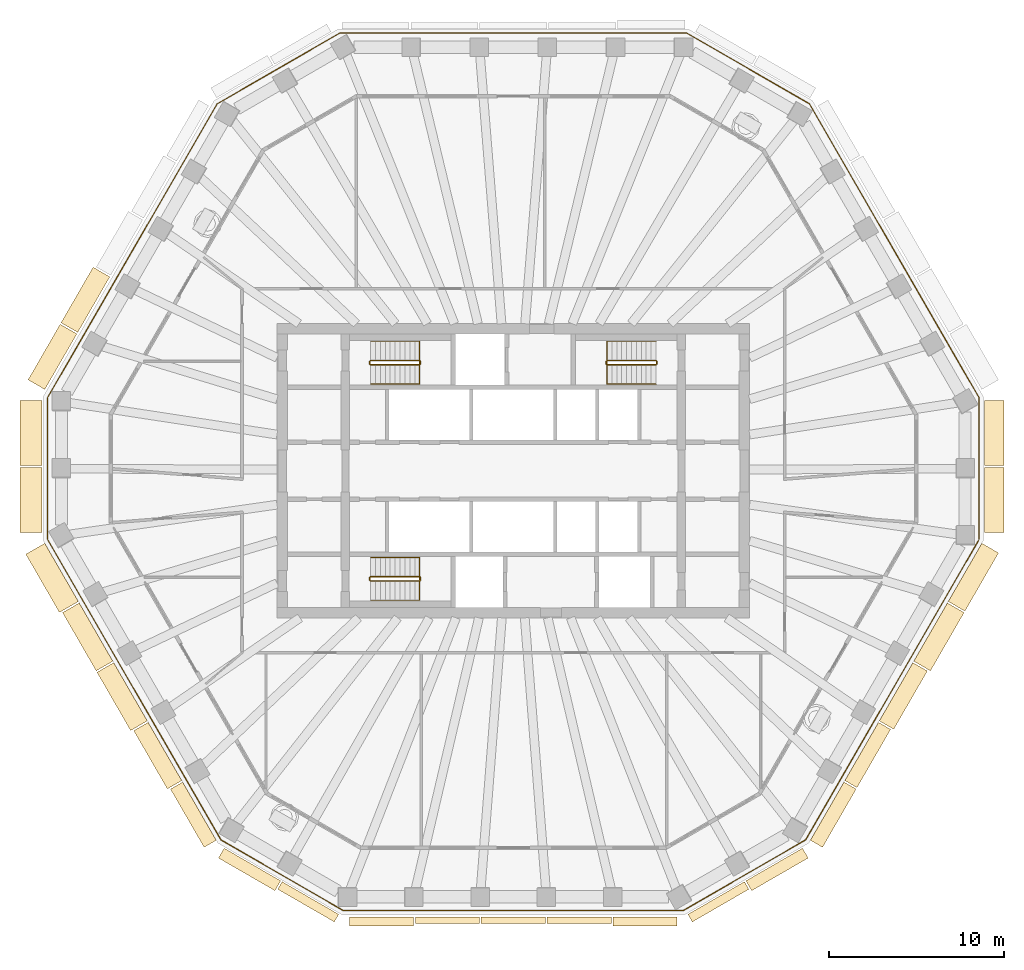
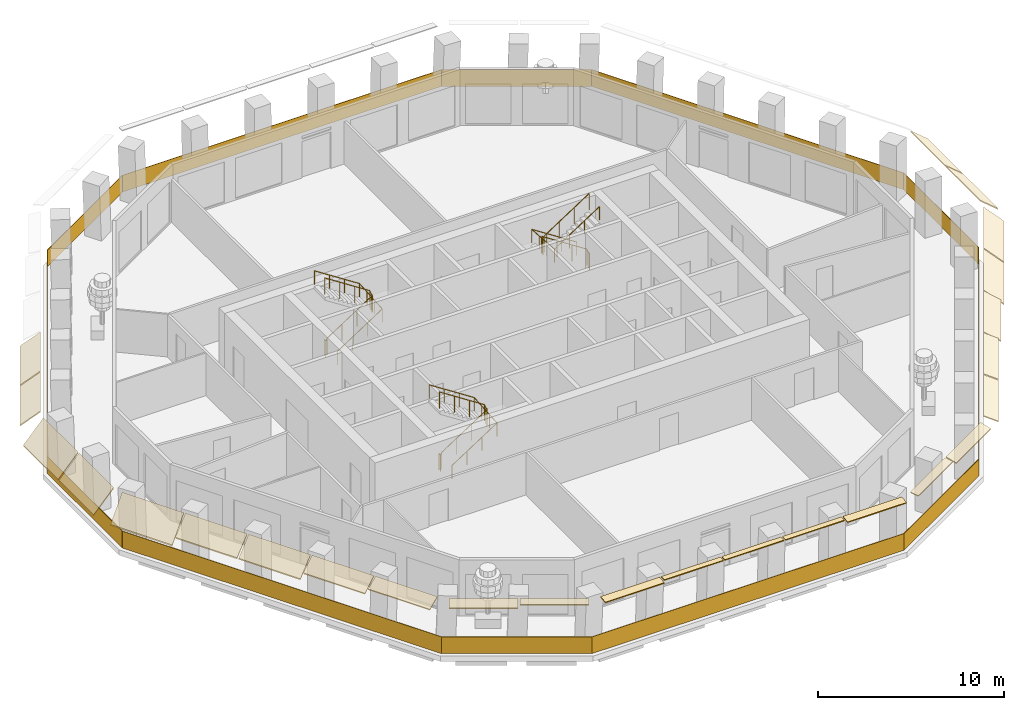
# One storey, part 9 of 12: 25 coverings, 7 railings.
"""IFC4 building model written with IfcOpenShell, lengths in metres."""

from ifc_helpers import new_model, si_unit, direction, frame, origin, origin_2d, place, context, subcontext, project, spatial, polyline, rectangle, circle, outline, extrude, material, layer, layer_set, type_object, element, save


model = new_model("IFC4")

# Units and contexts
model_context = context("Model", 3, precision=1e-05, world=origin(), true_north=direction((0.0, 1.0)))
body_context = subcontext(model_context, "Body", "Model", "MODEL_VIEW")
ifc_project = project(units=[si_unit("LENGTHUNIT", "METRE"), si_unit("AREAUNIT", "SQUARE_METRE"), si_unit("VOLUMEUNIT", "CUBIC_METRE"), si_unit("PLANEANGLEUNIT", "RADIAN"), si_unit("MASSUNIT", "GRAM", prefix="KILO")], contexts=[model_context])

# Site, building, storey
site_placement = place(None, origin())
site = spatial("IfcSite", under=ifc_project, at=site_placement, CompositionType="ELEMENT")
building_placement = place(site_placement, origin())
building = spatial("IfcBuilding", under=site, at=building_placement, Name="Frailejon Research Tower", CompositionType="ELEMENT")
storey_placement = place(building_placement, frame((0.0, 0.0, 215.39990234375)))
storey = spatial("IfcBuildingStorey", under=building, at=storey_placement, Name="L46", CompositionType="ELEMENT", Elevation=215.39990234375)

# Coverings
ifc_material_1 = material(Name="Precast concrete C50/60", Category="concrete")
ifc_layer_1 = layer(ifc_material_1, 0.06005859375)
ifc_layer_set_1 = layer_set([ifc_layer_1], Name="Brim blade depth 1100")
covering_type_1 = type_object("IfcCoveringType", Name="Brim blade depth 1100", PredefinedType="CLADDING", material=ifc_layer_set_1)
for number, where, z_axis, x_axis, name in (
    (1, (26.929443359375, 0.201416015625, 3.85009765625), (0.0, -1.0, 0.0), (1.0, 0.0, 0.0), "Brim blade L46"),
    (2, (26.929443359375, 4.028076171875, 3.85009765625), (0.0, -1.0, 0.0), (1.0, 0.0, 0.0), "Brim blade L46"),
):
    element("IfcCovering", number, at=place(storey_placement, frame(where, z_axis=z_axis, x_axis=x_axis)), inside=storey, type_object=covering_type_1, Name=name, PredefinedType="CLADDING", context=body_context, shape_type="SweptSolid", body=[
        extrude(outline(polyline([(0.0, -0.078369140625), (1.10009765625, -1.001220703125), (1.10009765625, -0.923095703125), (0.0, 0.0), (0.0, -0.078369140625)])), origin(), (0.0, 0.0, 1.0), 3.726806640625),
    ])
covering_1_placement = place(storey_placement, frame((-24.882080078125, 7.905517578125, 3.85009765625), z_axis=(0.500003084099, 0.866023623172, 0.0), x_axis=(-0.866023623172, 0.500003084099, 0.0)))
element("IfcCovering", 3, at=covering_1_placement, inside=storey, type_object=covering_type_1, Name="Brim blade L46", PredefinedType="CLADDING", context=body_context, shape_type="SweptSolid", body=[
    extrude(outline(polyline([(0.0, -0.078369140625), (1.10009765625, -1.001220703125), (1.10009765625, -0.923095703125), (0.0, 0.0), (0.0, -0.078369140625)])), origin(), (0.0, 0.0, 1.0), 3.6630859375),
])
covering_2_placement = place(storey_placement, frame((-26.763916015625, 4.646484375, 3.85009765625), z_axis=(0.499991576892, 0.866030266813, 0.0), x_axis=(-0.866030266813, 0.499991576892, 0.0)))
element("IfcCovering", 4, at=covering_2_placement, inside=storey, type_object=covering_type_1, Name="Brim blade L46", PredefinedType="CLADDING", context=body_context, shape_type="SweptSolid", body=[
    extrude(outline(polyline([(0.0, -0.078369140625), (1.10009765625, -1.001220703125), (1.10009765625, -0.923095703125), (0.0, 0.0), (0.0, -0.078369140625)])), origin(), (0.0, 0.0, 1.0), 3.663330078125),
])
for number, where, z_axis, x_axis, name in (
    (5, (-22.87646484375, -10.876708984375, 3.85009765625), (-0.499998726892, 0.866026138813, 0.0), (-0.866026138813, -0.499998726892, 0.0), "Brim blade L46"),
    (6, (-20.90771484375, -14.28662109375, 3.85009765625), (-0.500009724991, 0.866019788985, 0.0), (-0.866019788985, -0.500009724991, 0.0), "Brim blade L46"),
    (7, (24.795166015625, -7.553466796875, 3.85009765625), (-0.499998726892, -0.866026138813, 0.0), (0.866026138813, -0.499998726892, 0.0), "Brim blade L46"),
    (8, (26.763916015625, -4.1435546875, 3.85009765625), (-0.499979678914, -0.866037135851, 0.0), (0.866037135851, -0.499979678914, 0.0), "Brim blade L46"),
):
    element("IfcCovering", number, at=place(storey_placement, frame(where, z_axis=z_axis, x_axis=x_axis)), inside=storey, type_object=covering_type_1, Name=name, PredefinedType="CLADDING", context=body_context, shape_type="SweptSolid", body=[
        extrude(outline(polyline([(0.0, -0.078369140625), (1.10009765625, -1.001220703125), (1.10009765625, -0.923095703125), (0.0, 0.0), (0.0, -0.078369140625)])), origin(), (0.0, 0.0, 1.0), 3.83740234375),
    ])
ifc_material_2 = material(Name="Precast concrete C50/60", Category="concrete")
ifc_layer_2 = layer(ifc_material_2, 0.06005859375)
ifc_layer_set_2 = layer_set([ifc_layer_2], Name="Brim blade depth 1250")
covering_type_2 = type_object("IfcCoveringType", Name="Brim blade depth 1250", PredefinedType="CLADDING", material=ifc_layer_set_2)
for number, where, z_axis, x_axis, name in (
    (9, (-26.929443359375, 0.301513671875, 3.85009765625), (0.0, 1.0, 0.0), (-1.0, 0.0, 0.0), "Brim blade L46"),
    (10, (-26.929443359375, -3.525390625, 3.85009765625), (0.0, 1.0, 0.0), (-1.0, 0.0, 0.0), "Brim blade L46"),
):
    element("IfcCovering", number, at=place(storey_placement, frame(where, z_axis=z_axis, x_axis=x_axis)), inside=storey, type_object=covering_type_2, Name=name, PredefinedType="CLADDING", context=body_context, shape_type="SweptSolid", body=[
        extrude(outline(polyline([(0.0, -0.0888671875), (1.25, -1.452880859375), (1.25, -1.364013671875), (0.0, 0.0), (0.0, -0.0888671875)])), origin(), (0.0, 0.0, 1.0), 3.726806640625),
    ])
covering_3_placement = place(storey_placement, frame((-24.84521484375, -7.466796875, 3.85009765625), z_axis=(-0.499979678914, 0.866037135851, 0.0), x_axis=(-0.866037135851, -0.499979678914, 0.0)))
element("IfcCovering", 11, at=covering_3_placement, inside=storey, type_object=covering_type_2, Name="Brim blade L46", PredefinedType="CLADDING", context=body_context, shape_type="SweptSolid", body=[
    extrude(outline(polyline([(0.0, -0.0888671875), (1.25, -1.452880859375), (1.25, -1.364013671875), (0.0, 0.0), (0.0, -0.0888671875)])), origin(), (0.0, 0.0, 1.0), 3.83740234375),
])
ifc_material_3 = material(Name="Precast concrete C50/60", Category="concrete")
ifc_layer_3 = layer(ifc_material_3, 0.06005859375)
ifc_layer_set_3 = layer_set([ifc_layer_3], Name="Brim blade depth 350")
covering_type_3 = type_object("IfcCoveringType", Name="Brim blade depth 350", PredefinedType="CLADDING", material=ifc_layer_set_3)
for number, where, z_axis, x_axis, name in (
    (12, (-1.931640625, -25.50146484375, 3.85009765625), (-1.0, 0.0, 0.0), (0.0, -1.0, 0.0), "Brim blade L46"),
    (13, (1.83154296875, -25.50146484375, 3.85009765625), (-1.0, 0.0, 0.0), (0.0, -1.0, 0.0), "Brim blade L46"),
    (14, (5.5947265625, -25.50146484375, 3.85009765625), (-1.0, 0.0, 0.0), (0.0, -1.0, 0.0), "Brim blade L46"),
):
    element("IfcCovering", number, at=place(storey_placement, frame(where, z_axis=z_axis, x_axis=x_axis)), inside=storey, type_object=covering_type_3, Name=name, PredefinedType="CLADDING", context=body_context, shape_type="SweptSolid", body=[
        extrude(outline(polyline([(0.0, -0.06005859375), (0.35009765625, -0.06005859375), (0.35009765625, 0.0), (0.0, 0.0), (0.0, -0.06005859375)])), origin(), (0.0, 0.0, 1.0), 3.6630859375),
    ])
ifc_material_4 = material(Name="Precast concrete C50/60", Category="concrete")
ifc_layer_4 = layer(ifc_material_4, 0.06005859375)
ifc_layer_set_4 = layer_set([ifc_layer_4], Name="Brim blade depth 500")
covering_type_4 = type_object("IfcCoveringType", Name="Brim blade depth 500", PredefinedType="CLADDING", material=ifc_layer_set_4)
covering_4_placement = place(storey_placement, frame((-9.976318359375, -25.335693359375, 3.85009765625), z_axis=(-0.866018477835, 0.500011995905, 0.0), x_axis=(-0.500011995905, -0.866018477835, 0.0)))
element("IfcCovering", 15, at=covering_4_placement, inside=storey, type_object=covering_type_4, Name="Brim blade L46", PredefinedType="CLADDING", context=body_context, shape_type="SweptSolid", body=[
    extrude(outline(polyline([(0.0, -0.060546875), (0.5, -0.130859375), (0.5, -0.0703125), (0.0, 0.0), (0.0, -0.060546875)])), origin(), (0.0, 0.0, 1.0), 3.726806640625),
])
for number, where, z_axis, x_axis, name in (
    (16, (-5.69482421875, -25.50146484375, 3.85009765625), (-1.0, 0.0, 0.0), (0.0, -1.0, 0.0), "Brim blade L46"),
    (17, (9.35791015625, -25.50146484375, 3.85009765625), (-1.0, 0.0, 0.0), (0.0, -1.0, 0.0), "Brim blade L46"),
):
    element("IfcCovering", number, at=place(storey_placement, frame(where, z_axis=z_axis, x_axis=x_axis)), inside=storey, type_object=covering_type_4, Name=name, PredefinedType="CLADDING", context=body_context, shape_type="SweptSolid", body=[
        extrude(outline(polyline([(0.0, -0.060546875), (0.5, -0.130859375), (0.5, -0.0703125), (0.0, 0.0), (0.0, -0.060546875)])), origin(), (0.0, 0.0, 1.0), 3.6630859375),
    ])
covering_5_placement = place(storey_placement, frame((13.20361328125, -23.472412109375, 3.85009765625), z_axis=(-0.866018477835, -0.500011995905, 0.0), x_axis=(0.500011995905, -0.866018477835, 0.0)))
element("IfcCovering", 18, at=covering_5_placement, inside=storey, type_object=covering_type_4, Name="Brim blade L46", PredefinedType="CLADDING", context=body_context, shape_type="SweptSolid", body=[
    extrude(outline(polyline([(0.0, -0.060546875), (0.5, -0.130859375), (0.5, -0.0703125), (0.0, 0.0), (0.0, -0.060546875)])), origin(), (0.0, 0.0, 1.0), 3.726806640625),
])
ifc_material_5 = material(Name="Precast concrete C50/60", Category="concrete")
ifc_layer_5 = layer(ifc_material_5, 0.06005859375)
ifc_layer_set_5 = layer_set([ifc_layer_5], Name="Brim blade depth 650")
covering_type_5 = type_object("IfcCoveringType", Name="Brim blade depth 650", PredefinedType="CLADDING", material=ifc_layer_set_5)
for number, where, z_axis, x_axis, name in (
    (19, (-13.290283203125, -23.42236328125, 3.85009765625), (-0.866036325866, 0.499981081923, 0.0), (-0.499981081923, -0.866036325866, 0.0), "Brim blade L46"),
    (20, (16.517822265625, -21.55908203125, 3.85009765625), (-0.866036325866, -0.499981081923, 0.0), (0.499981081923, -0.866036325866, 0.0), "Brim blade L46"),
):
    element("IfcCovering", number, at=place(storey_placement, frame(where, z_axis=z_axis, x_axis=x_axis)), inside=storey, type_object=covering_type_5, Name=name, PredefinedType="CLADDING", context=body_context, shape_type="SweptSolid", body=[
        extrude(outline(polyline([(0.0, -0.0625), (0.64990234375, -0.248779296875), (0.64990234375, -0.186279296875), (0.0, 0.0), (0.0, -0.0625)])), origin(), (0.0, 0.0, 1.0), 3.726806640625),
    ])
ifc_material_6 = material(Name="Precast concrete C50/60", Category="concrete")
ifc_layer_6 = layer(ifc_material_6, 0.06005859375)
ifc_layer_set_6 = layer_set([ifc_layer_6], Name="Brim blade depth 800")
covering_type_6 = type_object("IfcCoveringType", Name="Brim blade depth 800", PredefinedType="CLADDING", material=ifc_layer_set_6)
for number, where, z_axis, x_axis, name in (
    (21, (-16.970458984375, -21.1064453125, 3.85009765625), (-0.499998726892, 0.866026138813, 0.0), (-0.866026138813, -0.499998726892, 0.0), "Brim blade L46"),
    (22, (18.88916015625, -17.783203125, 3.85009765625), (-0.499998726892, -0.866026138813, 0.0), (0.866026138813, -0.499998726892, 0.0), "Brim blade L46"),
    (23, (20.85791015625, -14.373291015625, 3.85009765625), (-0.499998726892, -0.866026138813, 0.0), (0.866026138813, -0.499998726892, 0.0), "Brim blade L46"),
):
    element("IfcCovering", number, at=place(storey_placement, frame(where, z_axis=z_axis, x_axis=x_axis)), inside=storey, type_object=covering_type_6, Name=name, PredefinedType="CLADDING", context=body_context, shape_type="SweptSolid", body=[
        extrude(outline(polyline([(0.0, -0.065673828125), (0.800048828125, -0.421875), (0.800048828125, -0.356201171875), (0.0, 0.0), (0.0, -0.065673828125)])), origin(), (0.0, 0.0, 1.0), 3.83740234375),
    ])
ifc_material_7 = material(Name="Precast concrete C50/60", Category="concrete")
ifc_layer_7 = layer(ifc_material_7, 0.06005859375)
ifc_layer_set_7 = layer_set([ifc_layer_7], Name="Brim blade depth 950")
covering_type_7 = type_object("IfcCoveringType", Name="Brim blade depth 950", PredefinedType="CLADDING", material=ifc_layer_set_7)
for number, where, z_axis, x_axis, name in (
    (24, (-18.939208984375, -17.696533203125, 3.85009765625), (-0.499998726892, 0.866026138813, 0.0), (-0.866026138813, -0.499998726892, 0.0), "Brim blade L46"),
    (25, (22.826416015625, -10.96337890625, 3.85009765625), (-0.500009724991, -0.866019788985, 0.0), (0.866019788985, -0.500009724991, 0.0), "Brim blade L46"),
):
    element("IfcCovering", number, at=place(storey_placement, frame(where, z_axis=z_axis, x_axis=x_axis)), inside=storey, type_object=covering_type_7, Name=name, PredefinedType="CLADDING", context=body_context, shape_type="SweptSolid", body=[
        extrude(outline(polyline([(0.0, -0.07080078125), (0.949951171875, -0.664306640625), (0.949951171875, -0.593505859375), (0.0, 0.0), (0.0, -0.07080078125)])), origin(), (0.0, 0.0, 1.0), 3.83740234375),
    ])

# Railings
ifc_material_8 = material(Name="Laminated glass balustrade", Category="glass")
railing_type_1 = type_object("IfcRailingType", Name="Glass guard 1100", PredefinedType="GUARDRAIL", material=ifc_material_8)
railing_1_placement = place(storey_placement, frame((26.609619140625, -3.916015625, 0.0)))
element("IfcRailing", 26, at=railing_1_placement, inside=storey, type_object=railing_type_1, Name="Loggia guard L46", PredefinedType="GUARDRAIL", context=body_context, shape_type="SweptSolid", body=[
    extrude(rectangle(XDim=8.08349609375, YDim=0.030029296875, at=origin_2d()), frame((0.0, 4.041748046875, 0.0), z_axis=(0.0, 0.0, 1.0), x_axis=(0.0, 1.0, 0.0)), (0.0, 0.0, 1.0), 1.10009765625),
    extrude(rectangle(XDim=19.391357421875, YDim=0.030029296875, at=origin_2d()), frame((-4.847900390625, 16.47998046875, 0.0), z_axis=(0.0, 0.0, 1.0), x_axis=(-0.500009081322, 0.866020160617, 0.0)), (0.0, 0.0, 1.0), 1.10009765625),
    extrude(rectangle(XDim=8.08349609375, YDim=0.030029296875, at=origin_2d()), frame((-13.196044921875, 26.897705078125, 0.0), z_axis=(0.0, 0.0, 1.0), x_axis=(-0.866011562111, 0.500023973715, 0.0)), (0.0, 0.0, 1.0), 1.10009765625),
    extrude(rectangle(XDim=19.82666015625, YDim=0.030029296875, at=origin_2d()), frame((-26.609619140625, 28.918701171875, 0.0), z_axis=(0.0, 0.0, 1.0), x_axis=(-1.0, 0.0, 0.0)), (0.0, 0.0, 1.0), 1.10009765625),
    extrude(rectangle(XDim=8.08349609375, YDim=0.030029296875, at=origin_2d()), frame((-40.023193359375, 26.897705078125, 0.0), z_axis=(0.0, 0.0, 1.0), x_axis=(-0.866011562111, -0.500023973715, 0.0)), (0.0, 0.0, 1.0), 1.10009765625),
    extrude(rectangle(XDim=19.391357421875, YDim=0.030029296875, at=origin_2d()), frame((-48.371337890625, 16.47998046875, 0.0), z_axis=(0.0, 0.0, 1.0), x_axis=(-0.500009081322, -0.866020160617, 0.0)), (0.0, 0.0, 1.0), 1.10009765625),
    extrude(rectangle(XDim=8.08349609375, YDim=0.030029296875, at=origin_2d()), frame((-53.21923828125, 4.041748046875, 0.0), z_axis=(0.0, 0.0, 1.0), x_axis=(0.0, -1.0, 0.0)), (0.0, 0.0, 1.0), 1.10009765625),
    extrude(rectangle(XDim=19.82666015625, YDim=0.030029296875, at=origin_2d()), frame((-48.2626953125, -8.585205078125, 0.0), z_axis=(0.0, 0.0, 1.0), x_axis=(0.499999589656, -0.866025640697, 0.0)), (0.0, 0.0, 1.0), 1.10009765625),
    extrude(rectangle(XDim=8.083740234375, YDim=0.030029296875, at=origin_2d()), frame((-39.8056640625, -19.19140625, 0.0), z_axis=(0.0, 0.0, 1.0), x_axis=(0.866019113034, -0.500010895741, 0.0)), (0.0, 0.0, 1.0), 1.10009765625),
    extrude(rectangle(XDim=19.39111328125, YDim=0.030029296875, at=origin_2d()), frame((-26.609619140625, -21.21240234375, 0.0), z_axis=(0.0, 0.0, 1.0), x_axis=(1.0, 0.0, 0.0)), (0.0, 0.0, 1.0), 1.10009765625),
    extrude(rectangle(XDim=8.083740234375, YDim=0.030029296875, at=origin_2d()), frame((-13.41357421875, -19.19140625, 0.0), z_axis=(0.0, 0.0, 1.0), x_axis=(0.866019113034, 0.500010895741, 0.0)), (0.0, 0.0, 1.0), 1.10009765625),
    extrude(rectangle(XDim=19.75634765625, YDim=0.030029296875, at=origin_2d()), frame((-4.97412109375, -8.61572265625, 0.0), z_axis=(0.0, 0.0, 1.0), x_axis=(0.499997365854, 0.866026924604, 0.0)), (0.0, 0.0, 1.0), 1.10009765625),
])
ifc_material_9 = material(Name="Stainless steel", Category="steel")
railing_type_2 = type_object("IfcRailingType", Name="Stair guard 1100", PredefinedType="GUARDRAIL", material=ifc_material_9)
railing_2_placement = place(storey_placement, frame((-8.199951171875, 6.25, 0.0)))
element("IfcRailing", 27, at=railing_2_placement, inside=storey, type_object=railing_type_2, Name="L46 ST1 stair guard 1", PredefinedType="GUARDRAIL", context=body_context, shape_type="SweptSolid", body=[
    extrude(circle(Radius=0.02392578125, at=origin_2d()), frame((0.0, 0.0, 1.076171875), z_axis=(0.0, -1.0, 0.0), x_axis=(1.0, 0.0, 0.0)), (0.0, 0.0, 1.0), 0.14990234375),
    extrude(circle(Radius=0.02392578125, at=origin_2d()), frame((0.0, -0.14990234375, 1.076171875), z_axis=(0.256435381639, -0.256435381639, 0.931923704005), x_axis=(0.707106781187, 0.707106781187, 0.0)), (0.0, 0.0, 1.0), 0.195068359375),
    extrude(circle(Radius=0.02392578125, at=origin_2d()), frame((0.050048828125, -0.199951171875, 1.2578125), z_axis=(0.83868413941, 0.0, 0.544618136222), x_axis=(0.0, 1.0, 0.0)), (0.0, 0.0, 1.0), 3.33837890625),
    extrude(circle(Radius=0.02392578125, at=origin_2d()), frame((2.849853515625, -0.199951171875, 3.076171875), z_axis=(0.707106781187, 0.707106781187, 0.0), x_axis=(-0.707106781187, 0.707106781187, 0.0)), (0.0, 0.0, 1.0), 0.07080078125),
    extrude(circle(Radius=0.02392578125, at=origin_2d()), frame((2.89990234375, -0.14990234375, 3.076171875), z_axis=(0.0, 1.0, 0.0), x_axis=(-1.0, 0.0, 0.0)), (0.0, 0.0, 1.0), 0.14990234375),
    extrude(circle(Radius=0.02392578125, at=origin_2d()), frame((2.89990234375, 0.0, 3.076171875), z_axis=(-0.256435381639, 0.256435381639, 0.931923704005), x_axis=(-0.707106781187, -0.707106781187, 0.0)), (0.0, 0.0, 1.0), 0.195068359375),
    extrude(circle(Radius=0.02392578125, at=origin_2d()), frame((2.849853515625, 0.050048828125, 3.2578125), z_axis=(-0.83868413941, 0.0, 0.544618136222), x_axis=(0.0, -1.0, 0.0)), (0.0, 0.0, 1.0), 3.33837890625),
    extrude(circle(Radius=0.02099609375, at=origin_2d()), origin(), (0.0, 0.0, 1.0), 1.052001953125),
    extrude(circle(Radius=0.02099609375, at=origin_2d()), frame((0.0, -0.14990234375, 0.0)), (0.0, 0.0, 1.0), 1.052001953125),
    extrude(circle(Radius=0.02099609375, at=origin_2d()), frame((0.050048828125, -0.199951171875, 0.181884765625)), (0.0, 0.0, 1.0), 1.052001953125),
    extrude(circle(Radius=0.02099609375, at=origin_2d()), frame((0.9833984375, -0.199951171875, 0.787841796875)), (0.0, 0.0, 1.0), 1.052001953125),
    extrude(circle(Radius=0.02099609375, at=origin_2d()), frame((1.91650390625, -0.199951171875, 1.39404296875)), (0.0, 0.0, 1.0), 1.052001953125),
    extrude(circle(Radius=0.02099609375, at=origin_2d()), frame((2.849853515625, -0.199951171875, 2.0)), (0.0, 0.0, 1.0), 1.052001953125),
    extrude(circle(Radius=0.02099609375, at=origin_2d()), frame((2.89990234375, -0.14990234375, 2.0)), (0.0, 0.0, 1.0), 1.052001953125),
    extrude(circle(Radius=0.02099609375, at=origin_2d()), frame((2.89990234375, 0.0, 2.0)), (0.0, 0.0, 1.0), 1.052001953125),
    extrude(circle(Radius=0.02099609375, at=origin_2d()), frame((2.849853515625, 0.050048828125, 2.181884765625)), (0.0, 0.0, 1.0), 1.052001953125),
    extrude(circle(Radius=0.02099609375, at=origin_2d()), frame((1.91650390625, 0.050048828125, 2.787841796875)), (0.0, 0.0, 1.0), 1.052001953125),
    extrude(circle(Radius=0.02099609375, at=origin_2d()), frame((0.9833984375, 0.050048828125, 3.39404296875)), (0.0, 0.0, 1.0), 1.052001953125),
    extrude(circle(Radius=0.02099609375, at=origin_2d()), frame((0.050048828125, 0.050048828125, 4.0)), (0.0, 0.0, 1.0), 1.052001953125),
])
railing_3_placement = place(storey_placement, frame((-8.199951171875, -6.10009765625, 0.0)))
element("IfcRailing", 28, at=railing_3_placement, inside=storey, type_object=railing_type_2, Name="L46 ST2 stair guard 1", PredefinedType="GUARDRAIL", context=body_context, shape_type="SweptSolid", body=[
    extrude(circle(Radius=0.02392578125, at=origin_2d()), frame((0.0, 0.0, 1.076171875), z_axis=(0.0, -1.0, 0.0), x_axis=(1.0, 0.0, 0.0)), (0.0, 0.0, 1.0), 0.14990234375),
    extrude(circle(Radius=0.02392578125, at=origin_2d()), frame((0.0, -0.14990234375, 1.076171875), z_axis=(0.256435381639, -0.256435381639, 0.931923704005), x_axis=(0.707106781187, 0.707106781187, 0.0)), (0.0, 0.0, 1.0), 0.195068359375),
    extrude(circle(Radius=0.02392578125, at=origin_2d()), frame((0.050048828125, -0.199951171875, 1.2578125), z_axis=(0.83868413941, 0.0, 0.544618136222), x_axis=(0.0, 1.0, 0.0)), (0.0, 0.0, 1.0), 3.33837890625),
    extrude(circle(Radius=0.02392578125, at=origin_2d()), frame((2.849853515625, -0.199951171875, 3.076171875), z_axis=(0.707106781187, 0.707106781187, 0.0), x_axis=(-0.707106781187, 0.707106781187, 0.0)), (0.0, 0.0, 1.0), 0.07080078125),
    extrude(circle(Radius=0.02392578125, at=origin_2d()), frame((2.89990234375, -0.14990234375, 3.076171875), z_axis=(0.0, 1.0, 0.0), x_axis=(-1.0, 0.0, 0.0)), (0.0, 0.0, 1.0), 0.14990234375),
    extrude(circle(Radius=0.02392578125, at=origin_2d()), frame((2.89990234375, 0.0, 3.076171875), z_axis=(-0.256435381639, 0.256435381639, 0.931923704005), x_axis=(-0.707106781187, -0.707106781187, 0.0)), (0.0, 0.0, 1.0), 0.195068359375),
    extrude(circle(Radius=0.02392578125, at=origin_2d()), frame((2.849853515625, 0.050048828125, 3.2578125), z_axis=(-0.83868413941, 0.0, 0.544618136222), x_axis=(0.0, -1.0, 0.0)), (0.0, 0.0, 1.0), 3.33837890625),
    extrude(circle(Radius=0.02099609375, at=origin_2d()), origin(), (0.0, 0.0, 1.0), 1.052001953125),
    extrude(circle(Radius=0.02099609375, at=origin_2d()), frame((0.0, -0.14990234375, 0.0)), (0.0, 0.0, 1.0), 1.052001953125),
    extrude(circle(Radius=0.02099609375, at=origin_2d()), frame((0.050048828125, -0.199951171875, 0.181884765625)), (0.0, 0.0, 1.0), 1.052001953125),
    extrude(circle(Radius=0.02099609375, at=origin_2d()), frame((0.9833984375, -0.199951171875, 0.787841796875)), (0.0, 0.0, 1.0), 1.052001953125),
    extrude(circle(Radius=0.02099609375, at=origin_2d()), frame((1.91650390625, -0.199951171875, 1.39404296875)), (0.0, 0.0, 1.0), 1.052001953125),
    extrude(circle(Radius=0.02099609375, at=origin_2d()), frame((2.849853515625, -0.199951171875, 2.0)), (0.0, 0.0, 1.0), 1.052001953125),
    extrude(circle(Radius=0.02099609375, at=origin_2d()), frame((2.89990234375, -0.14990234375, 2.0)), (0.0, 0.0, 1.0), 1.052001953125),
    extrude(circle(Radius=0.02099609375, at=origin_2d()), frame((2.89990234375, 0.0, 2.0)), (0.0, 0.0, 1.0), 1.052001953125),
    extrude(circle(Radius=0.02099609375, at=origin_2d()), frame((2.849853515625, 0.050048828125, 2.181884765625)), (0.0, 0.0, 1.0), 1.052001953125),
    extrude(circle(Radius=0.02099609375, at=origin_2d()), frame((1.91650390625, 0.050048828125, 2.787841796875)), (0.0, 0.0, 1.0), 1.052001953125),
    extrude(circle(Radius=0.02099609375, at=origin_2d()), frame((0.9833984375, 0.050048828125, 3.39404296875)), (0.0, 0.0, 1.0), 1.052001953125),
    extrude(circle(Radius=0.02099609375, at=origin_2d()), frame((0.050048828125, 0.050048828125, 4.0)), (0.0, 0.0, 1.0), 1.052001953125),
])
railing_4_placement = place(storey_placement, frame((8.199951171875, 6.10009765625, 0.0)))
element("IfcRailing", 29, at=railing_4_placement, inside=storey, type_object=railing_type_2, Name="L46 ST3 stair guard 1", PredefinedType="GUARDRAIL", context=body_context, shape_type="SweptSolid", body=[
    extrude(circle(Radius=0.02392578125, at=origin_2d()), frame((0.0, 0.0, 1.076171875), z_axis=(0.0, 1.0, 0.0), x_axis=(-1.0, 0.0, 0.0)), (0.0, 0.0, 1.0), 0.14990234375),
    extrude(circle(Radius=0.02392578125, at=origin_2d()), frame((0.0, 0.14990234375, 1.076171875), z_axis=(-0.256435381639, 0.256435381639, 0.931923704005), x_axis=(-0.707106781187, -0.707106781187, 0.0)), (0.0, 0.0, 1.0), 0.195068359375),
    extrude(circle(Radius=0.02392578125, at=origin_2d()), frame((-0.050048828125, 0.199951171875, 1.2578125), z_axis=(-0.83868413941, 0.0, 0.544618136222), x_axis=(0.0, -1.0, 0.0)), (0.0, 0.0, 1.0), 3.33837890625),
    extrude(circle(Radius=0.02392578125, at=origin_2d()), frame((-2.849853515625, 0.199951171875, 3.076171875), z_axis=(-0.707106781187, -0.707106781187, 0.0), x_axis=(0.707106781187, -0.707106781187, 0.0)), (0.0, 0.0, 1.0), 0.07080078125),
    extrude(circle(Radius=0.02392578125, at=origin_2d()), frame((-2.89990234375, 0.14990234375, 3.076171875), z_axis=(0.0, -1.0, 0.0), x_axis=(1.0, 0.0, 0.0)), (0.0, 0.0, 1.0), 0.14990234375),
    extrude(circle(Radius=0.02392578125, at=origin_2d()), frame((-2.89990234375, 0.0, 3.076171875), z_axis=(0.256435381639, -0.256435381639, 0.931923704005), x_axis=(0.707106781187, 0.707106781187, 0.0)), (0.0, 0.0, 1.0), 0.195068359375),
    extrude(circle(Radius=0.02392578125, at=origin_2d()), frame((-2.849853515625, -0.050048828125, 3.2578125), z_axis=(0.83868413941, 0.0, 0.544618136222), x_axis=(0.0, 1.0, 0.0)), (0.0, 0.0, 1.0), 3.33837890625),
    extrude(circle(Radius=0.02099609375, at=origin_2d()), origin(), (0.0, 0.0, 1.0), 1.052001953125),
    extrude(circle(Radius=0.02099609375, at=origin_2d()), frame((0.0, 0.14990234375, 0.0)), (0.0, 0.0, 1.0), 1.052001953125),
    extrude(circle(Radius=0.02099609375, at=origin_2d()), frame((-0.050048828125, 0.199951171875, 0.181884765625)), (0.0, 0.0, 1.0), 1.052001953125),
    extrude(circle(Radius=0.02099609375, at=origin_2d()), frame((-0.9833984375, 0.199951171875, 0.787841796875)), (0.0, 0.0, 1.0), 1.052001953125),
    extrude(circle(Radius=0.02099609375, at=origin_2d()), frame((-1.91650390625, 0.199951171875, 1.39404296875)), (0.0, 0.0, 1.0), 1.052001953125),
    extrude(circle(Radius=0.02099609375, at=origin_2d()), frame((-2.849853515625, 0.199951171875, 2.0)), (0.0, 0.0, 1.0), 1.052001953125),
    extrude(circle(Radius=0.02099609375, at=origin_2d()), frame((-2.89990234375, 0.14990234375, 2.0)), (0.0, 0.0, 1.0), 1.052001953125),
    extrude(circle(Radius=0.02099609375, at=origin_2d()), frame((-2.89990234375, 0.0, 2.0)), (0.0, 0.0, 1.0), 1.052001953125),
    extrude(circle(Radius=0.02099609375, at=origin_2d()), frame((-2.849853515625, -0.050048828125, 2.181884765625)), (0.0, 0.0, 1.0), 1.052001953125),
    extrude(circle(Radius=0.02099609375, at=origin_2d()), frame((-1.91650390625, -0.050048828125, 2.787841796875)), (0.0, 0.0, 1.0), 1.052001953125),
    extrude(circle(Radius=0.02099609375, at=origin_2d()), frame((-0.9833984375, -0.050048828125, 3.39404296875)), (0.0, 0.0, 1.0), 1.052001953125),
    extrude(circle(Radius=0.02099609375, at=origin_2d()), frame((-0.050048828125, -0.050048828125, 4.0)), (0.0, 0.0, 1.0), 1.052001953125),
])
ifc_material_10 = material(Name="Stainless steel", Category="steel")
railing_type_3 = type_object("IfcRailingType", Name="Stair handrail 900", PredefinedType="HANDRAIL", material=ifc_material_10)
railing_5_placement = place(storey_placement, frame((-8.14990234375, 4.949951171875, 0.181884765625)))
element("IfcRailing", 30, at=railing_5_placement, inside=storey, type_object=railing_type_3, Name="L46 ST1 stair handrail 1", PredefinedType="HANDRAIL", context=body_context, shape_type="SweptSolid", body=[
    extrude(circle(Radius=0.02392578125, at=origin_2d()), frame((0.0, 0.0, 0.8759765625), z_axis=(0.83868413941, 0.0, 0.544618136222), x_axis=(0.0, 1.0, 0.0)), (0.0, 0.0, 1.0), 3.33837890625),
    extrude(circle(Radius=0.02392578125, at=origin_2d()), frame((2.7998046875, 0.0, 2.69384765625), z_axis=(0.0, 0.997255538948, 0.074036410216), x_axis=(-1.0, 0.0, 0.0)), (0.0, 0.0, 1.0), 2.456787109375),
    extrude(circle(Radius=0.02392578125, at=origin_2d()), frame((2.7998046875, 2.449951171875, 2.8759765625), z_axis=(-0.83868413941, 0.0, 0.544618136222), x_axis=(0.0, -1.0, 0.0)), (0.0, 0.0, 1.0), 3.33837890625),
    extrude(circle(Radius=0.02099609375, at=origin_2d()), origin(), (0.0, 0.0, 1.0), 0.851806640625),
    extrude(circle(Radius=0.02099609375, at=origin_2d()), frame((0.933349609375, 0.0, 0.60595703125)), (0.0, 0.0, 1.0), 0.851806640625),
    extrude(circle(Radius=0.02099609375, at=origin_2d()), frame((1.866455078125, 0.0, 1.212158203125)), (0.0, 0.0, 1.0), 0.851806640625),
    extrude(circle(Radius=0.02099609375, at=origin_2d()), frame((2.7998046875, 0.0, 1.818115234375)), (0.0, 0.0, 1.0), 0.851806640625),
    extrude(circle(Radius=0.02099609375, at=origin_2d()), frame((2.7998046875, 0.816650390625, 1.878662109375)), (0.0, 0.0, 1.0), 0.851806640625),
    extrude(circle(Radius=0.02099609375, at=origin_2d()), frame((2.7998046875, 1.63330078125, 1.939453125)), (0.0, 0.0, 1.0), 0.851806640625),
    extrude(circle(Radius=0.02099609375, at=origin_2d()), frame((2.7998046875, 2.449951171875, 2.0)), (0.0, 0.0, 1.0), 0.851806640625),
    extrude(circle(Radius=0.02099609375, at=origin_2d()), frame((1.866455078125, 2.449951171875, 2.60595703125)), (0.0, 0.0, 1.0), 0.851806640625),
    extrude(circle(Radius=0.02099609375, at=origin_2d()), frame((0.933349609375, 2.449951171875, 3.212158203125)), (0.0, 0.0, 1.0), 0.851806640625),
    extrude(circle(Radius=0.02099609375, at=origin_2d()), frame((0.0, 2.449951171875, 3.818115234375)), (0.0, 0.0, 1.0), 0.851806640625),
])
railing_6_placement = place(storey_placement, frame((-8.14990234375, -7.39990234375, 0.181884765625)))
element("IfcRailing", 31, at=railing_6_placement, inside=storey, type_object=railing_type_3, Name="L46 ST2 stair handrail 1", PredefinedType="HANDRAIL", context=body_context, shape_type="SweptSolid", body=[
    extrude(circle(Radius=0.02392578125, at=origin_2d()), frame((0.0, 0.0, 0.8759765625), z_axis=(0.83868413941, 0.0, 0.544618136222), x_axis=(0.0, 1.0, 0.0)), (0.0, 0.0, 1.0), 3.33837890625),
    extrude(circle(Radius=0.02392578125, at=origin_2d()), frame((2.7998046875, 0.0, 2.69384765625), z_axis=(0.0, 0.997255538948, 0.074036410216), x_axis=(-1.0, 0.0, 0.0)), (0.0, 0.0, 1.0), 2.456787109375),
    extrude(circle(Radius=0.02392578125, at=origin_2d()), frame((2.7998046875, 2.449951171875, 2.8759765625), z_axis=(-0.83868413941, 0.0, 0.544618136222), x_axis=(0.0, -1.0, 0.0)), (0.0, 0.0, 1.0), 3.33837890625),
    extrude(circle(Radius=0.02099609375, at=origin_2d()), origin(), (0.0, 0.0, 1.0), 0.851806640625),
    extrude(circle(Radius=0.02099609375, at=origin_2d()), frame((0.933349609375, 0.0, 0.60595703125)), (0.0, 0.0, 1.0), 0.851806640625),
    extrude(circle(Radius=0.02099609375, at=origin_2d()), frame((1.866455078125, 0.0, 1.212158203125)), (0.0, 0.0, 1.0), 0.851806640625),
    extrude(circle(Radius=0.02099609375, at=origin_2d()), frame((2.7998046875, 0.0, 1.818115234375)), (0.0, 0.0, 1.0), 0.851806640625),
    extrude(circle(Radius=0.02099609375, at=origin_2d()), frame((2.7998046875, 0.816650390625, 1.878662109375)), (0.0, 0.0, 1.0), 0.851806640625),
    extrude(circle(Radius=0.02099609375, at=origin_2d()), frame((2.7998046875, 1.63330078125, 1.939453125)), (0.0, 0.0, 1.0), 0.851806640625),
    extrude(circle(Radius=0.02099609375, at=origin_2d()), frame((2.7998046875, 2.449951171875, 2.0)), (0.0, 0.0, 1.0), 0.851806640625),
    extrude(circle(Radius=0.02099609375, at=origin_2d()), frame((1.866455078125, 2.449951171875, 2.60595703125)), (0.0, 0.0, 1.0), 0.851806640625),
    extrude(circle(Radius=0.02099609375, at=origin_2d()), frame((0.933349609375, 2.449951171875, 3.212158203125)), (0.0, 0.0, 1.0), 0.851806640625),
    extrude(circle(Radius=0.02099609375, at=origin_2d()), frame((0.0, 2.449951171875, 3.818115234375)), (0.0, 0.0, 1.0), 0.851806640625),
])
railing_7_placement = place(storey_placement, frame((8.14990234375, 7.39990234375, 0.181884765625)))
element("IfcRailing", 32, at=railing_7_placement, inside=storey, type_object=railing_type_3, Name="L46 ST3 stair handrail 1", PredefinedType="HANDRAIL", context=body_context, shape_type="SweptSolid", body=[
    extrude(circle(Radius=0.02392578125, at=origin_2d()), frame((0.0, 0.0, 0.8759765625), z_axis=(-0.83868413941, 0.0, 0.544618136222), x_axis=(0.0, -1.0, 0.0)), (0.0, 0.0, 1.0), 3.33837890625),
    extrude(circle(Radius=0.02392578125, at=origin_2d()), frame((-2.7998046875, 0.0, 2.69384765625), z_axis=(0.0, -0.997255538948, 0.074036410216), x_axis=(1.0, 0.0, 0.0)), (0.0, 0.0, 1.0), 2.456787109375),
    extrude(circle(Radius=0.02392578125, at=origin_2d()), frame((-2.7998046875, -2.449951171875, 2.8759765625), z_axis=(0.83868413941, 0.0, 0.544618136222), x_axis=(0.0, 1.0, 0.0)), (0.0, 0.0, 1.0), 3.33837890625),
    extrude(circle(Radius=0.02099609375, at=origin_2d()), origin(), (0.0, 0.0, 1.0), 0.851806640625),
    extrude(circle(Radius=0.02099609375, at=origin_2d()), frame((-0.933349609375, 0.0, 0.60595703125)), (0.0, 0.0, 1.0), 0.851806640625),
    extrude(circle(Radius=0.02099609375, at=origin_2d()), frame((-1.866455078125, 0.0, 1.212158203125)), (0.0, 0.0, 1.0), 0.851806640625),
    extrude(circle(Radius=0.02099609375, at=origin_2d()), frame((-2.7998046875, 0.0, 1.818115234375)), (0.0, 0.0, 1.0), 0.851806640625),
    extrude(circle(Radius=0.02099609375, at=origin_2d()), frame((-2.7998046875, -0.816650390625, 1.878662109375)), (0.0, 0.0, 1.0), 0.851806640625),
    extrude(circle(Radius=0.02099609375, at=origin_2d()), frame((-2.7998046875, -1.63330078125, 1.939453125)), (0.0, 0.0, 1.0), 0.851806640625),
    extrude(circle(Radius=0.02099609375, at=origin_2d()), frame((-2.7998046875, -2.449951171875, 2.0)), (0.0, 0.0, 1.0), 0.851806640625),
    extrude(circle(Radius=0.02099609375, at=origin_2d()), frame((-1.866455078125, -2.449951171875, 2.60595703125)), (0.0, 0.0, 1.0), 0.851806640625),
    extrude(circle(Radius=0.02099609375, at=origin_2d()), frame((-0.933349609375, -2.449951171875, 3.212158203125)), (0.0, 0.0, 1.0), 0.851806640625),
    extrude(circle(Radius=0.02099609375, at=origin_2d()), frame((0.0, -2.449951171875, 3.818115234375)), (0.0, 0.0, 1.0), 0.851806640625),
])

save(model, "model.ifc")
